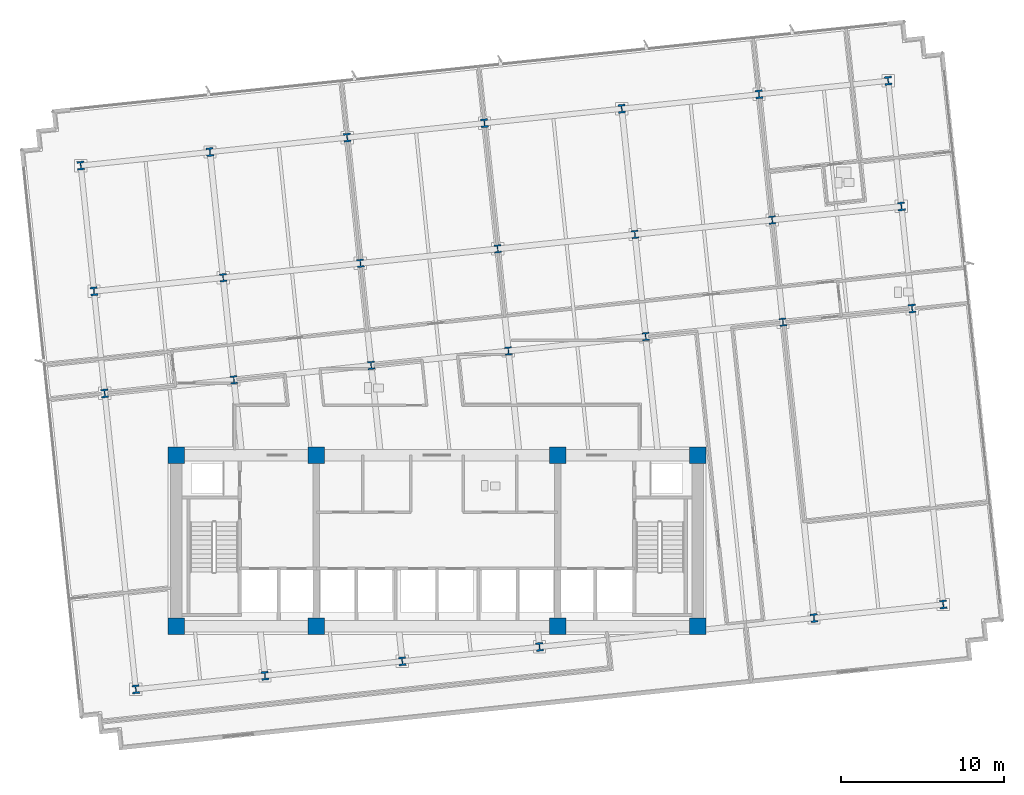
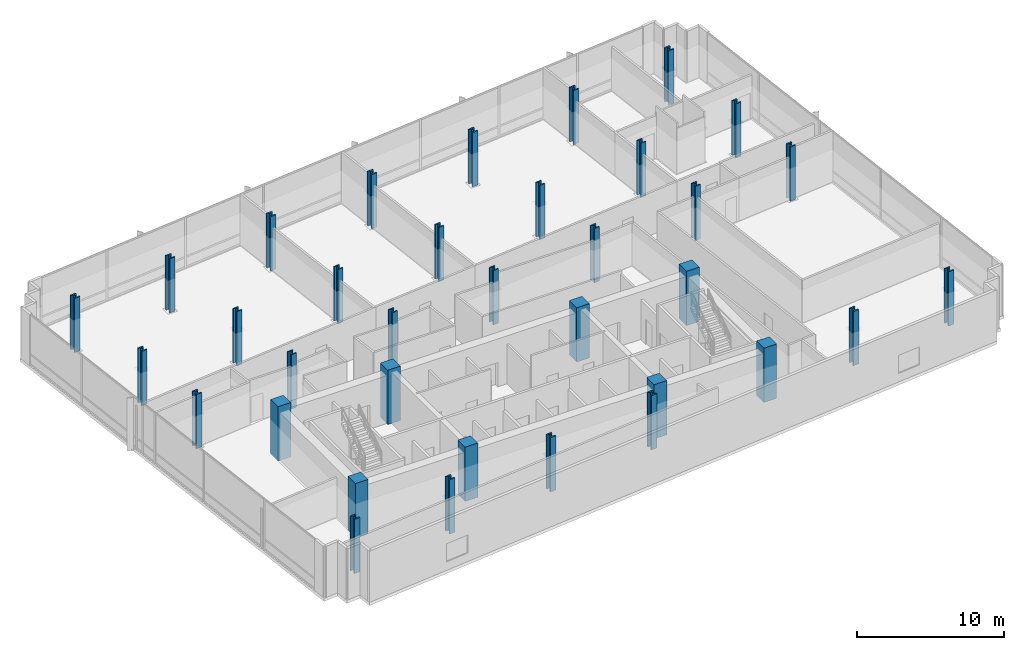
# One storey, part 1 of 20: 35 columns.
"""IFC4 building model written with IfcOpenShell, lengths in metres."""

from ifc_helpers import new_model, si_unit, direction, frame, origin, origin_2d, place, context, subcontext, project, spatial, rectangle, i_section, extrude, material, material_profile, profile_set, type_object, element, save


model = new_model("IFC4")

# Units and contexts
model_context = context("Model", 3, precision=1e-05, world=origin(), true_north=direction((0.0, 1.0)))
body_context = subcontext(model_context, "Body", "Model", "MODEL_VIEW")
ifc_project = project(units=[si_unit("LENGTHUNIT", "METRE"), si_unit("AREAUNIT", "SQUARE_METRE"), si_unit("VOLUMEUNIT", "CUBIC_METRE"), si_unit("PLANEANGLEUNIT", "RADIAN"), si_unit("MASSUNIT", "GRAM", prefix="KILO")], contexts=[model_context])

# Site, building, storey
site_placement = place(None, origin())
site = spatial("IfcSite", under=ifc_project, at=site_placement, CompositionType="ELEMENT")
building_placement = place(site_placement, origin())
building = spatial("IfcBuilding", under=site, at=building_placement, Name="Solmavex Isthmus Hotel", CompositionType="ELEMENT")
storey_placement = place(building_placement, frame((0.0, 0.0, 97.35009765625)))
storey = spatial("IfcBuildingStorey", under=building, at=storey_placement, Name="L26", CompositionType="ELEMENT", Elevation=97.35009765625)

# Columns
ifc_material_1 = material(Name="Concrete C60/75", Category="concrete")
ifc_material_profile_1 = material_profile(ifc_material_1, rectangle(XDim=1.0, YDim=1.0, at=origin_2d()), Name="RC1000X1000")
ifc_profile_set_1 = profile_set([ifc_material_profile_1], Name="Concrete C60/75")
column_type_1 = type_object("IfcColumnType", Name="COL-CC-1000", PredefinedType="COLUMN", material=ifc_profile_set_1)
for number, where, z_axis, x_axis, name in (
    (1, (-16.0, -13.0, 0.0), (0.0, 0.0, 1.0), (1.0, 0.0, 0.0), "Core Pilaster CC-SW L26"),
    (2, (-7.39990234375, -13.0, 0.0), (0.0, 0.0, 1.0), (1.0, 0.0, 0.0), "Core Pilaster CC-S1 L26"),
    (3, (7.39990234375, -13.0, 0.0), (0.0, 0.0, 1.0), (1.0, 0.0, 0.0), "Core Pilaster CC-S2 L26"),
    (4, (16.0, -13.0, 0.0), (0.0, 0.0, 1.0), (1.0, 0.0, 0.0), "Core Pilaster CC-SE L26"),
    (5, (-16.0, -2.5, 0.0), (0.0, 0.0, 1.0), (1.0, 0.0, 0.0), "Core Pilaster CC-NW L26"),
    (6, (-7.39990234375, -2.5, 0.0), (0.0, 0.0, 1.0), (1.0, 0.0, 0.0), "Core Pilaster CC-N1 L26"),
    (7, (7.39990234375, -2.5, 0.0), (0.0, 0.0, 1.0), (1.0, 0.0, 0.0), "Core Pilaster CC-N2 L26"),
    (8, (16.0, -2.5, 0.0), (0.0, 0.0, 1.0), (1.0, 0.0, 0.0), "Core Pilaster CC-NE L26"),
):
    element("IfcColumn", number, at=place(storey_placement, frame(where, z_axis=z_axis, x_axis=x_axis)), inside=storey, type_object=column_type_1, Name=name, PredefinedType="COLUMN", context=body_context, shape_type="SweptSolid", body=[
        extrude(rectangle(XDim=1.0, YDim=1.0, at=origin_2d()), origin(), (0.0, 0.0, 1.0), 4.5),
    ])
ifc_material_2 = material(Name="Steel ASTM A913 Grade 65", Category="steel")
ifc_material_profile_2 = material_profile(ifc_material_2, i_section(OverallWidth=0.43212890625, OverallDepth=0.497802734375, WebThickness=0.0556640625, FlangeThickness=0.0888671875, FilletRadius=0.030517578125, at=origin_2d()), Name="W14X500")
ifc_profile_set_2 = profile_set([ifc_material_profile_2], Name="Steel ASTM A913 Grade 65")
column_type_2 = type_object("IfcColumnType", Name="COL-SC-W14X500", PredefinedType="COLUMN", material=ifc_profile_set_2)
for number, where, z_axis, x_axis, name in (
    (9, (-12.458740234375, 2.11865234375, 0.0), (0.0, 0.0, 1.0), (0.994521895368, 0.104528463268, 0.0), "Tower Column B2-U2V2 L26"),
    (10, (-13.1171875, 8.382080078125, 0.0), (0.0, 0.0, 1.0), (0.994521895368, 0.104528463268, 0.0), "Tower Column B2-U2V3 L26"),
    (11, (-4.0390625, 3.003662109375, 0.0), (0.0, 0.0, 1.0), (0.994521895368, 0.104528463268, 0.0), "Tower Column B2-U3V2 L26"),
    (12, (-4.697509765625, 9.26708984375, 0.0), (0.0, 0.0, 1.0), (0.994521895368, 0.104528463268, 0.0), "Tower Column B2-U3V3 L26"),
    (13, (4.38037109375, 3.888427734375, 0.0), (0.0, 0.0, 1.0), (0.994521895368, 0.104528463268, 0.0), "Tower Column B2-U4V2 L26"),
    (14, (3.72216796875, 10.152099609375, 0.0), (0.0, 0.0, 1.0), (0.994521895368, 0.104528463268, 0.0), "Tower Column B2-U4V3 L26"),
    (15, (12.800048828125, 4.7734375, 0.0), (0.0, 0.0, 1.0), (0.994521895368, 0.104528463268, 0.0), "Tower Column B2-U5V2 L26"),
    (16, (12.141845703125, 11.036865234375, 0.0), (0.0, 0.0, 1.0), (0.994521895368, 0.104528463268, 0.0), "Tower Column B2-U5V3 L26"),
    (17, (21.2197265625, 5.658447265625, 0.0), (0.0, 0.0, 1.0), (0.994521895368, 0.104528463268, 0.0), "Tower Column B2-U6V2 L26"),
    (18, (20.5615234375, 11.921875, 0.0), (0.0, 0.0, 1.0), (0.994521895368, 0.104528463268, 0.0), "Tower Column B2-U6V3 L26"),
):
    element("IfcColumn", number, at=place(storey_placement, frame(where, z_axis=z_axis, x_axis=x_axis)), inside=storey, type_object=column_type_2, Name=name, PredefinedType="COLUMN", context=body_context, shape_type="SweptSolid", body=[
        extrude(i_section(OverallWidth=0.43212890625, OverallDepth=0.497802734375, WebThickness=0.0556640625, FlangeThickness=0.0888671875, FilletRadius=0.030517578125, at=origin_2d()), origin(), (0.0, 0.0, 1.0), 4.5),
    ])
ifc_material_profile_3 = material_profile(ifc_material_2, i_section(OverallWidth=0.442138671875, OverallDepth=0.531494140625, WebThickness=0.06591796875, FlangeThickness=0.105712890625, FilletRadius=0.030517578125, at=origin_2d()), Name="W14X605")
ifc_profile_set_3 = profile_set([ifc_material_profile_3], Name="Steel ASTM A913 Grade 65")
column_type_3 = type_object("IfcColumnType", Name="COL-SC-W14X605", PredefinedType="COLUMN", material=ifc_profile_set_3)
for number, where, z_axis, x_axis, name in (
    (19, (-18.475341796875, -16.8642578125, 0.0), (0.0, 0.0, 1.0), (0.994521895368, 0.104528463268, 0.0), "Tower Column B2-U1V1 L26"),
    (20, (-20.383056640625, 1.28564453125, 0.0), (0.0, 0.0, 1.0), (0.994521895368, 0.104528463268, 0.0), "Tower Column B2-U1V2 L26"),
    (21, (-21.04150390625, 7.54931640625, 0.0), (0.0, 0.0, 1.0), (0.994521895368, 0.104528463268, 0.0), "Tower Column B2-U1V3 L26"),
    (22, (-21.851806640625, 15.2587890625, 0.0), (0.0, 0.0, 1.0), (0.994521895368, 0.104528463268, 0.0), "Tower Column B2-U1V4 L26"),
    (23, (-10.551025390625, -16.031494140625, 0.0), (0.0, 0.0, 1.0), (0.994521895368, 0.104528463268, 0.0), "Tower Column B2-U2V1 L26"),
    (24, (-13.927490234375, 16.091552734375, 0.0), (0.0, 0.0, 1.0), (0.994521895368, 0.104528463268, 0.0), "Tower Column B2-U2V4 L26"),
    (25, (-2.131591796875, -15.146484375, 0.0), (0.0, 0.0, 1.0), (0.994521895368, 0.104528463268, 0.0), "Tower Column B2-U3V1 L26"),
    (26, (-5.5078125, 16.9765625, 0.0), (0.0, 0.0, 1.0), (0.994521895368, 0.104528463268, 0.0), "Tower Column B2-U3V4 L26"),
    (27, (6.2880859375, -14.261474609375, 0.0), (0.0, 0.0, 1.0), (0.994521895368, 0.104528463268, 0.0), "Tower Column B2-U4V1 L26"),
    (28, (2.911865234375, 17.861572265625, 0.0), (0.0, 0.0, 1.0), (0.994521895368, 0.104528463268, 0.0), "Tower Column B2-U4V4 L26"),
    (29, (11.33154296875, 18.74658203125, 0.0), (0.0, 0.0, 1.0), (0.994521895368, 0.104528463268, 0.0), "Tower Column B2-U5V4 L26"),
    (30, (23.12744140625, -12.49169921875, 0.0), (0.0, 0.0, 1.0), (0.994521895368, 0.104528463268, 0.0), "Tower Column B2-U6V1 L26"),
    (31, (19.751220703125, 19.63134765625, 0.0), (0.0, 0.0, 1.0), (0.994521895368, 0.104528463268, 0.0), "Tower Column B2-U6V4 L26"),
    (32, (31.0517578125, -11.65869140625, 0.0), (0.0, 0.0, 1.0), (0.994521895368, 0.104528463268, 0.0), "Tower Column B2-U7V1 L26"),
    (33, (29.14404296875, 6.4912109375, 0.0), (0.0, 0.0, 1.0), (0.994521895368, 0.104528463268, 0.0), "Tower Column B2-U7V2 L26"),
    (34, (28.48583984375, 12.754638671875, 0.0), (0.0, 0.0, 1.0), (0.994521895368, 0.104528463268, 0.0), "Tower Column B2-U7V3 L26"),
    (35, (27.675537109375, 20.46435546875, 0.0), (0.0, 0.0, 1.0), (0.994521895368, 0.104528463268, 0.0), "Tower Column B2-U7V4 L26"),
):
    element("IfcColumn", number, at=place(storey_placement, frame(where, z_axis=z_axis, x_axis=x_axis)), inside=storey, type_object=column_type_3, Name=name, PredefinedType="COLUMN", context=body_context, shape_type="SweptSolid", body=[
        extrude(i_section(OverallWidth=0.442138671875, OverallDepth=0.531494140625, WebThickness=0.06591796875, FlangeThickness=0.105712890625, FilletRadius=0.030517578125, at=origin_2d()), origin(), (0.0, 0.0, 1.0), 4.5),
    ])

save(model, "model.ifc")
